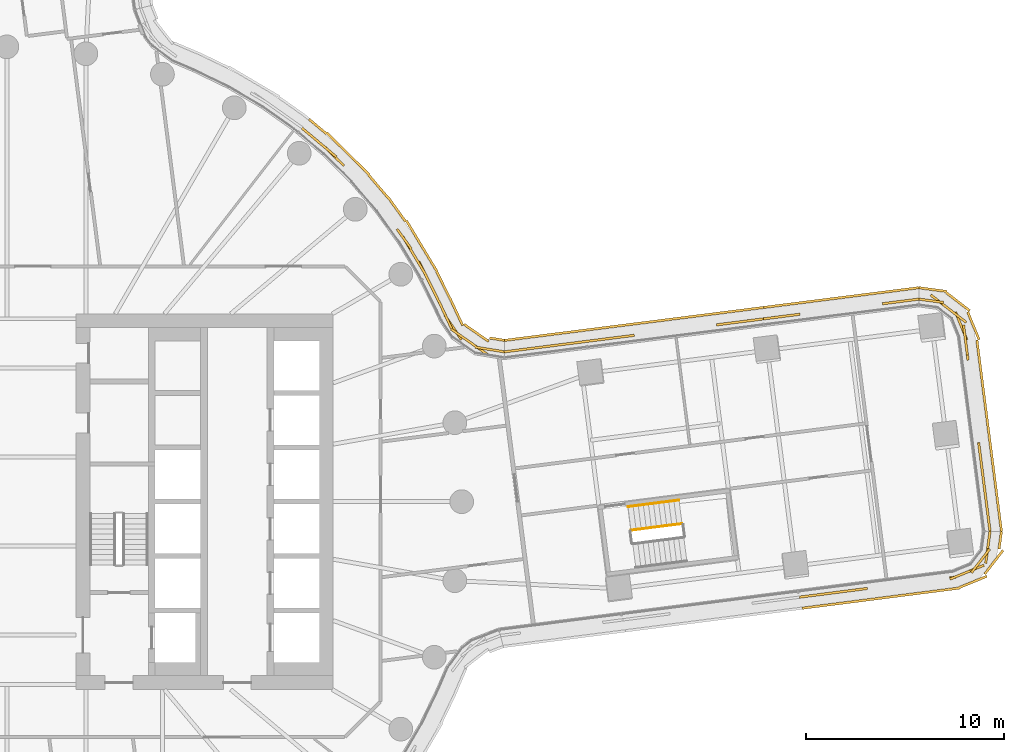
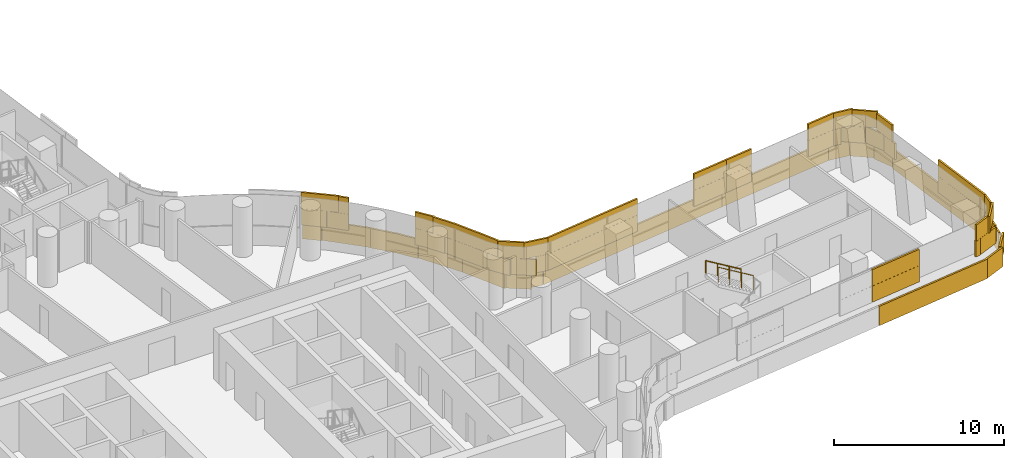
# One storey, part 29 of 31: 5 coverings, 2 railings.
"""IFC4 building model written with IfcOpenShell, lengths in metres."""

import ifcopenshell
import ifcopenshell.guid

model = None  # the IFC model being written
_history = None  # IfcOwnerHistory: only IFC2X3 demands one
_inside = {}  # id of a spatial element -> (the spatial element, [elements in it])
_under = {}  # id of a project, library or spatial element -> (it, [spatial elements below it])
_declared = {}  # id of a project -> (the project, [libraries it declares])
_typed = {}  # id of a type object -> (the type object, [elements of that type])
_made_of = {}  # id of a material, layer set ... -> (it, [elements and type objects made of it])


def new_model(schema):
    """Start an empty IFC model of exactly this schema.

    Asked for "IFC4X3", IfcOpenShell would pick the latest addendum, in which some entities
    have other attributes; the version numbers below select the first issue.
    IFC2X3 requires an IfcOwnerHistory on every rooted entity: one is made here for all.
    """
    global model, _history
    if schema == "IFC4X3":
        model = ifcopenshell.file(schema_version=(4, 3, 0, 0))
    else:
        model = ifcopenshell.file(schema=schema)
    _inside.clear()
    _under.clear()
    _declared.clear()
    _typed.clear()
    _made_of.clear()
    _history = None
    if model.schema == "IFC2X3":
        org = make("IfcOrganization", Name="unknown")
        user = make(
            "IfcPersonAndOrganization",
            ThePerson=make("IfcPerson", FamilyName="unknown"),
            TheOrganization=org,
        )
        app = make(
            "IfcApplication",
            ApplicationDeveloper=org,
            Version="unknown",
            ApplicationFullName="unknown",
            ApplicationIdentifier="unknown",
        )
        _history = make(
            "IfcOwnerHistory",
            OwningUser=user,
            OwningApplication=app,
            ChangeAction="ADDED",
            CreationDate=0,
        )
    return model


def make(cls, **values):
    """One entity of the class cls with the attributes given. An attribute that is None is left unset."""
    return model.create_entity(
        cls, **{name: value for name, value in values.items() if value is not None}
    )


def rooted(cls, **values):
    """An entity with a GlobalId (a new one), such as an element, a storey or a relation."""
    return make(cls, GlobalId=ifcopenshell.guid.new(), OwnerHistory=_history, **values)


def si_unit(unit_type, name, prefix=None):
    """IfcSIUnit, for example si_unit("LENGTHUNIT", "METRE", prefix="MILLI")."""
    return make("IfcSIUnit", UnitType=unit_type, Prefix=prefix, Name=name)


def assignment(units):
    """IfcUnitAssignment: the units of a project."""
    return None if units is None else make("IfcUnitAssignment", Units=units)


def point(xyz):
    """IfcCartesianPoint."""
    return None if xyz is None else make("IfcCartesianPoint", Coordinates=xyz)


def direction(xyz):
    """IfcDirection."""
    return None if xyz is None else make("IfcDirection", DirectionRatios=xyz)


def frame(location, z_axis=None, x_axis=None):
    """IfcAxis2Placement3D, a coordinate frame: its origin and axes. An axis left out is left unset."""
    return make(
        "IfcAxis2Placement3D",
        Location=point(location),
        Axis=direction(z_axis),
        RefDirection=direction(x_axis),
    )


def frame_2d(location, x_axis=None):
    """IfcAxis2Placement2D, a coordinate frame in the plane: its origin and x axis."""
    return make(
        "IfcAxis2Placement2D", Location=point(location), RefDirection=direction(x_axis)
    )


def origin():
    """The frame at (0, 0, 0) with its axes left unset."""
    return frame((0.0, 0.0, 0.0))


def origin_2d():
    """The frame at (0, 0) in the plane with its x axis left unset."""
    return frame_2d((0.0, 0.0))


def place(relative_to, where):
    """IfcLocalPlacement: puts the frame where relative to a parent placement (None: the world)."""
    return make(
        "IfcLocalPlacement", PlacementRelTo=relative_to, RelativePlacement=where
    )


def context(
    kind, dimensions, precision=None, world=None, true_north=None, identifier=None
):
    """IfcGeometricRepresentationContext, for example the 3D "Model" context."""
    return make(
        "IfcGeometricRepresentationContext",
        ContextIdentifier=identifier,
        ContextType=kind,
        CoordinateSpaceDimension=dimensions,
        Precision=precision,
        WorldCoordinateSystem=world,
        TrueNorth=true_north,
    )


def subcontext(parent, identifier, kind, view, scale=None):
    """IfcGeometricRepresentationSubContext, for example "Body" below "Model"."""
    return make(
        "IfcGeometricRepresentationSubContext",
        ContextIdentifier=identifier,
        ContextType=kind,
        ParentContext=parent,
        TargetScale=scale,
        TargetView=view,
    )


def project(units=None, contexts=None):
    """IfcProject with its units and contexts."""
    return rooted(
        "IfcProject",
        Name="project",
        RepresentationContexts=contexts,
        UnitsInContext=assignment(units),
    )


def spatial(cls, under=None, at=None, **own):
    """A site, building, storey or space (cls), placed at a placement, below another one or the project."""
    s = rooted(cls, ObjectPlacement=at, **own)
    if under is not None:
        _under.setdefault(under.id(), (under, []))[1].append(s)
    return s


def profile(cls, at=None, kind="AREA", **sizes):
    """A parametric profile (cls). Its sizes go by their IFC names, for example OverallWidth=200.0."""
    return make(cls, ProfileType=kind, Position=at, **sizes)


def rectangle(**sizes):
    """IfcRectangleProfileDef."""
    return profile("IfcRectangleProfileDef", **sizes)


def circle(**sizes):
    """IfcCircleProfileDef."""
    return profile("IfcCircleProfileDef", **sizes)


def extrude(swept, where, along, depth):
    """IfcExtrudedAreaSolid: the profile swept, set in the frame where, extruded along a direction by depth."""
    return make(
        "IfcExtrudedAreaSolid",
        SweptArea=swept,
        Position=where,
        ExtrudedDirection=direction(along),
        Depth=depth,
    )


def shape(context_of_items, identifier, shape_type, items):
    """IfcShapeRepresentation: the items that make up one representation, for example the "Body"."""
    return make(
        "IfcShapeRepresentation",
        ContextOfItems=context_of_items,
        RepresentationIdentifier=identifier,
        RepresentationType=shape_type,
        Items=items,
    )


def material(Name=None, Category=None):
    """IfcMaterial."""
    return make("IfcMaterial", Name=Name, Category=Category)


def layer(
    of_material, thickness, ventilated=None, Name=None, Category=None, Priority=None
):
    """IfcMaterialLayer: one layer of a wall or slab, of a material (None: an air gap)."""
    return make(
        "IfcMaterialLayer",
        Material=of_material,
        LayerThickness=thickness,
        IsVentilated=ventilated,
        Name=Name,
        Category=Category,
        Priority=Priority,
    )


def layer_set(layers, Name=None):
    """IfcMaterialLayerSet."""
    return make("IfcMaterialLayerSet", MaterialLayers=layers, LayerSetName=Name)


def made_of(thing, what):
    """Note that an element or type object is made of a material, layer set ...; save() writes the relation."""
    if what is not None:
        _made_of.setdefault(what.id(), (what, []))[1].append(thing)
    return thing


def type_object(cls, material=None, **own):
    """A type object (cls), such as IfcWallType, which elements share."""
    return made_of(rooted(cls, **own), material)


def element(
    cls,
    number,
    at=None,
    inside=None,
    cuts=None,
    type_object=None,
    material=None,
    context=None,
    identifier="Body",
    shape_type=None,
    held_by="IfcProductDefinitionShape",
    body=None,
    shapes=None,
    **own,
):
    """One element of the class cls, such as IfcWall. Its Tag is "e" and its number.

    at: its placement. inside: the storey or other place that contains it. cuts: it is an
    opening in that element (IfcRelVoidsElement). A single representation is given by context,
    identifier, shape_type and body (its items); several are given by shapes. held_by: the class
    of the entity that holds the representations. save() writes the other relations.
    """
    e = rooted(cls, Tag="e%d" % number, ObjectPlacement=at, **own)
    if body is not None:
        shapes = [shape(context, identifier, shape_type, body)]
    if shapes is not None:
        e.Representation = make(held_by, Representations=shapes)
    if inside is not None:
        _inside.setdefault(inside.id(), (inside, []))[1].append(e)
    if cuts is not None:
        rooted(
            "IfcRelVoidsElement", RelatingBuildingElement=cuts, RelatedOpeningElement=e
        )
    if type_object is not None:
        _typed.setdefault(type_object.id(), (type_object, []))[1].append(e)
    return made_of(e, material)


def aggregate(whole, parts):
    """IfcRelAggregates: a whole, such as a stair, and the parts it consists of."""
    return rooted("IfcRelAggregates", RelatingObject=whole, RelatedObjects=parts)


def save(model, path):
    """Write the relations noted so far, then the file.

    IfcRelAggregates (storeys below a building ...), IfcRelContainedInSpatialStructure (elements
    in a storey), IfcRelDefinesByType, IfcRelAssociatesMaterial and IfcRelDeclares: one each for
    every whole, place, type object, material and project.
    """
    for whole, parts in _under.values():
        aggregate(whole, parts)
    for where, things in _inside.values():
        rooted(
            "IfcRelContainedInSpatialStructure",
            RelatedElements=things,
            RelatingStructure=where,
        )
    for kind, things in _typed.values():
        rooted("IfcRelDefinesByType", RelatedObjects=things, RelatingType=kind)
    for what, things in _made_of.values():
        rooted("IfcRelAssociatesMaterial", RelatedObjects=things, RelatingMaterial=what)
    for by, libraries in _declared.values():
        rooted("IfcRelDeclares", RelatingContext=by, RelatedDefinitions=libraries)
    model.write(path)


model = new_model("IFC4")

# Units and contexts
model_context = context("Model", 3, precision=1e-05, world=origin(), true_north=direction((0.0, 1.0)))
body_context = subcontext(model_context, "Body", "Model", "MODEL_VIEW")
ifc_project = project(units=[si_unit("LENGTHUNIT", "METRE"), si_unit("AREAUNIT", "SQUARE_METRE"), si_unit("VOLUMEUNIT", "CUBIC_METRE"), si_unit("PLANEANGLEUNIT", "RADIAN"), si_unit("MASSUNIT", "GRAM", prefix="KILO")], contexts=[model_context])

# Site, building, storey
site_placement = place(None, origin())
site = spatial("IfcSite", under=ifc_project, at=site_placement, CompositionType="ELEMENT")
building_placement = place(site_placement, origin())
building = spatial("IfcBuilding", under=site, at=building_placement, Name="Tamarind Cross Interchange Tower", CompositionType="ELEMENT")
storey_placement = place(building_placement, frame((0.0, 0.0, 60.25)))
storey = spatial("IfcBuildingStorey", under=building, at=storey_placement, Name="L13", CompositionType="ELEMENT", Elevation=60.25)

# Railings
ifc_material_1 = material(Name="Stair guard")
railing_type_1 = type_object("IfcRailingType", Name="Stair guard", PredefinedType="GUARDRAIL", material=ifc_material_1)
railing_1_placement = place(storey_placement, frame((34.140625, -1.113525390625, 2.04541015625)))
element("IfcRailing", 1, at=railing_1_placement, inside=storey, type_object=railing_type_1, Name="L13 ST3 stair guard 3", PredefinedType="GUARDRAIL", context=body_context, shape_type="SweptSolid", body=[
    extrude(circle(Radius=0.02392578125, at=origin_2d()), frame((0.0, 0.0, 1.076171875), z_axis=(-0.829487826646, -0.106483526738, 0.548280223955), x_axis=(0.127327757742, -0.991860696927, 0.0)), (0.0, 0.0, 1.0), 3.10888671875),
    extrude(circle(Radius=0.02099609375, at=origin_2d()), origin(), (0.0, 0.0, 1.0), 1.052001953125),
    extrude(circle(Radius=0.02099609375, at=origin_2d()), frame((-0.859619140625, -0.1103515625, 0.568115234375)), (0.0, 0.0, 1.0), 1.052001953125),
    extrude(circle(Radius=0.02099609375, at=origin_2d()), frame((-1.71923828125, -0.220703125, 1.136474609375)), (0.0, 0.0, 1.0), 1.052001953125),
    extrude(circle(Radius=0.02099609375, at=origin_2d()), frame((-2.578857421875, -0.3310546875, 1.70458984375)), (0.0, 0.0, 1.0), 1.052001953125),
])
ifc_material_2 = material(Name="Stair handrail")
railing_type_2 = type_object("IfcRailingType", Name="Stair handrail", PredefinedType="HANDRAIL", material=ifc_material_2)
railing_2_placement = place(storey_placement, frame((33.98779296875, 0.07666015625, 2.04541015625)))
element("IfcRailing", 2, at=railing_2_placement, inside=storey, type_object=railing_type_2, Name="L13 ST3 stair handrail 2", PredefinedType="HANDRAIL", context=body_context, shape_type="SweptSolid", body=[
    extrude(circle(Radius=0.02392578125, at=origin_2d()), frame((0.0, 0.0, 0.8759765625), z_axis=(-0.829487826646, -0.106483526738, 0.548280223955), x_axis=(0.127327757742, -0.991860696927, 0.0)), (0.0, 0.0, 1.0), 3.10888671875),
    extrude(circle(Radius=0.02099609375, at=origin_2d()), origin(), (0.0, 0.0, 1.0), 0.851806640625),
    extrude(circle(Radius=0.02099609375, at=origin_2d()), frame((-0.859619140625, -0.1103515625, 0.568115234375)), (0.0, 0.0, 1.0), 0.851806640625),
    extrude(circle(Radius=0.02099609375, at=origin_2d()), frame((-1.71923828125, -0.220703125, 1.136474609375)), (0.0, 0.0, 1.0), 0.851806640625),
    extrude(circle(Radius=0.02099609375, at=origin_2d()), frame((-2.578857421875, -0.3310546875, 1.70458984375)), (0.0, 0.0, 1.0), 0.851806640625),
])

# Coverings
ifc_material_3 = material(Name="Terracotta", Category="masonry")
ifc_layer = layer(ifc_material_3, 0.1201171875)
ifc_layer_set = layer_set([ifc_layer], Name="Terracotta")
covering_type = type_object("IfcCoveringType", Name="Terracotta baguette screen unit", PredefinedType="MOLDING", material=ifc_layer_set)
covering_1_placement = place(storey_placement, origin())
element("IfcCovering", 3, at=covering_1_placement, inside=storey, type_object=covering_type, Name="SCR-L13-07-02", PredefinedType="MOLDING", context=body_context, shape_type="SweptSolid", body=[
    extrude(rectangle(XDim=0.5224609375, YDim=0.1201171875, at=origin_2d()), frame((40.327392578125, -4.7958984375, 1.404052734375), z_axis=(0.0, 0.0, 1.0), x_axis=(0.991864253985, 0.127300045824, 0.0)), (0.0, 0.0, 1.0), 1.1669921875),
    extrude(rectangle(XDim=1.52001953125, YDim=0.1201171875, at=origin_2d()), frame((41.325439453125, -4.66796875, 1.404052734375), z_axis=(0.0, 0.0, 1.0), x_axis=(0.991864253985, 0.127300045824, 0.0)), (0.0, 0.0, 1.0), 1.1669921875),
    extrude(rectangle(XDim=1.46533203125, YDim=0.1201171875, at=origin_2d()), frame((42.791015625, -4.479736328125, 1.404052734375), z_axis=(0.0, 0.0, 1.0), x_axis=(0.991864253985, 0.127300045824, 0.0)), (0.0, 0.0, 1.0), 1.1669921875),
    extrude(rectangle(XDim=0.354736328125, YDim=0.1201171875, at=origin_2d()), frame((47.849609375, -3.83056640625, 1.404052734375), z_axis=(0.0, 0.0, 1.0), x_axis=(0.991864253985, 0.127300045824, 0.0)), (0.0, 0.0, 1.0), 1.1669921875),
    extrude(rectangle(XDim=1.52001953125, YDim=0.1201171875, at=origin_2d()), frame((48.70751953125, -3.497802734375, 1.404052734375), z_axis=(0.0, 0.0, 1.0), x_axis=(0.925119622795, 0.379675761037, 0.0)), (0.0, 0.0, 1.0), 1.1669921875),
    extrude(rectangle(XDim=1.52001953125, YDim=0.1201171875, at=origin_2d()), frame((49.59814453125, -2.36083984375, 1.404052734375), z_axis=(0.0, 0.0, 1.0), x_axis=(0.133750957139, 0.991014975399, 0.0)), (0.0, 0.0, 1.0), 1.1669921875),
    extrude(rectangle(XDim=0.1328125, YDim=0.1201171875, at=origin_2d()), frame((49.706787109375, -1.556884765625, 1.404052734375), z_axis=(0.0, 0.0, 1.0), x_axis=(0.133750957139, 0.991014975399, 0.0)), (0.0, 0.0, 1.0), 1.1669921875),
    extrude(rectangle(XDim=1.2724609375, YDim=0.1201171875, at=origin_2d()), frame((40.699462890625, -4.748291015625, 2.5791015625), z_axis=(0.0, 0.0, 1.0), x_axis=(0.991864253985, 0.127300045824, 0.0)), (0.0, 0.0, 1.0), 1.1669921875),
    extrude(rectangle(XDim=1.52001953125, YDim=0.1201171875, at=origin_2d()), frame((42.0693359375, -4.572265625, 2.5791015625), z_axis=(0.0, 0.0, 1.0), x_axis=(0.991864253985, 0.127300045824, 0.0)), (0.0, 0.0, 1.0), 1.1669921875),
    extrude(rectangle(XDim=0.71533203125, YDim=0.1201171875, at=origin_2d()), frame((43.1630859375, -4.43212890625, 2.5791015625), z_axis=(0.0, 0.0, 1.0), x_axis=(0.991864253985, 0.127300045824, 0.0)), (0.0, 0.0, 1.0), 1.1669921875),
    extrude(rectangle(XDim=1.104736328125, YDim=0.1201171875, at=origin_2d()), frame((48.201171875, -3.70556640625, 2.5791015625), z_axis=(0.0, 0.0, 1.0), x_axis=(0.925119622795, 0.379675761037, 0.0)), (0.0, 0.0, 1.0), 1.1669921875),
    extrude(rectangle(XDim=1.52001953125, YDim=0.1201171875, at=origin_2d()), frame((49.234375, -2.994140625, 2.5791015625), z_axis=(0.0, 0.0, 1.0), x_axis=(0.611339214362, 0.791368665657, 0.0)), (0.0, 0.0, 1.0), 1.1669921875),
    extrude(rectangle(XDim=0.8828125, YDim=0.1201171875, at=origin_2d()), frame((49.656494140625, -1.928466796875, 2.5791015625), z_axis=(0.0, 0.0, 1.0), x_axis=(0.133750957139, 0.991014975399, 0.0)), (0.0, 0.0, 1.0), 1.1669921875),
    extrude(rectangle(XDim=0.518798828125, YDim=0.1201171875, at=origin_2d()), frame((40.476806640625, -5.35546875, 0.00390625), z_axis=(0.0, 0.0, 1.0), x_axis=(0.991864253985, 0.127300045824, 0.0)), (0.0, 0.0, 1.0), 1.39208984375),
    extrude(rectangle(XDim=1.52001953125, YDim=0.1201171875, at=origin_2d()), frame((41.468017578125, -5.228271484375, 0.00390625), z_axis=(0.0, 0.0, 1.0), x_axis=(0.991864253985, 0.127300045824, 0.0)), (0.0, 0.0, 1.0), 1.39208984375),
    extrude(rectangle(XDim=1.52001953125, YDim=0.1201171875, at=origin_2d()), frame((42.955810546875, -5.037353515625, 0.00390625), z_axis=(0.0, 0.0, 1.0), x_axis=(0.991864253985, 0.127300045824, 0.0)), (0.0, 0.0, 1.0), 1.39208984375),
    extrude(rectangle(XDim=1.52001953125, YDim=0.1201171875, at=origin_2d()), frame((44.443603515625, -4.846435546875, 0.00390625), z_axis=(0.0, 0.0, 1.0), x_axis=(0.991864253985, 0.127300045824, 0.0)), (0.0, 0.0, 1.0), 1.39208984375),
    extrude(rectangle(XDim=1.52001953125, YDim=0.1201171875, at=origin_2d()), frame((45.931396484375, -4.6552734375, 0.00390625), z_axis=(0.0, 0.0, 1.0), x_axis=(0.991864253985, 0.127300045824, 0.0)), (0.0, 0.0, 1.0), 1.39208984375),
    extrude(rectangle(XDim=1.52001953125, YDim=0.1201171875, at=origin_2d()), frame((47.419189453125, -4.46435546875, 0.00390625), z_axis=(0.0, 0.0, 1.0), x_axis=(0.991864253985, 0.127300045824, 0.0)), (0.0, 0.0, 1.0), 1.39208984375),
    extrude(rectangle(XDim=1.52001953125, YDim=0.1201171875, at=origin_2d()), frame((48.8505859375, -4.0595703125, 0.00390625), z_axis=(0.0, 0.0, 1.0), x_axis=(0.925119622795, 0.379675761037, 0.0)), (0.0, 0.0, 1.0), 1.39208984375),
    extrude(rectangle(XDim=1.52001953125, YDim=0.1201171875, at=origin_2d()), frame((49.90966796875, -3.05908203125, 0.00390625), z_axis=(0.0, 0.0, 1.0), x_axis=(0.611339214362, 0.791368665657, 0.0)), (0.0, 0.0, 1.0), 1.39208984375),
    extrude(rectangle(XDim=0.904541015625, YDim=0.1201171875, at=origin_2d()), frame((50.2333984375, -1.946044921875, 0.00390625), z_axis=(0.0, 0.0, 1.0), x_axis=(0.133750957139, 0.991014975399, 0.0)), (0.0, 0.0, 1.0), 1.39208984375),
])
covering_2_placement = place(storey_placement, origin())
element("IfcCovering", 4, at=covering_2_placement, inside=storey, type_object=covering_type, Name="SCR-L13-08-00", PredefinedType="MOLDING", context=body_context, shape_type="SweptSolid", body=[
    extrude(rectangle(XDim=0.760009765625, YDim=0.1201171875, at=origin_2d()), frame((49.667236328125, -1.1240234375, 1.404052734375), z_axis=(0.0, 0.0, 1.0), x_axis=(-0.127300045824, 0.991864253985, 0.0)), (0.0, 0.0, 1.0), 1.1669921875),
    extrude(rectangle(XDim=1.52001953125, YDim=0.1201171875, at=origin_2d()), frame((49.52392578125, -0.008056640625, 1.404052734375), z_axis=(0.0, 0.0, 1.0), x_axis=(-0.127300045824, 0.991864253985, 0.0)), (0.0, 0.0, 1.0), 1.1669921875),
    extrude(rectangle(XDim=1.52001953125, YDim=0.1201171875, at=origin_2d()), frame((49.3330078125, 1.479736328125, 1.404052734375), z_axis=(0.0, 0.0, 1.0), x_axis=(-0.127300045824, 0.991864253985, 0.0)), (0.0, 0.0, 1.0), 1.1669921875),
    extrude(rectangle(XDim=0.784912109375, YDim=0.1201171875, at=origin_2d()), frame((49.188232421875, 2.60791015625, 1.404052734375), z_axis=(0.0, 0.0, 1.0), x_axis=(-0.127300045824, 0.991864253985, 0.0)), (0.0, 0.0, 1.0), 1.1669921875),
    extrude(rectangle(XDim=1.03515625, YDim=0.1201171875, at=origin_2d()), frame((48.5390625, 7.666259765625, 1.404052734375), z_axis=(0.0, 0.0, 1.0), x_axis=(-0.127300045824, 0.991864253985, 0.0)), (0.0, 0.0, 1.0), 1.1669921875),
    extrude(rectangle(XDim=1.52001953125, YDim=0.1201171875, at=origin_2d()), frame((48.258056640625, 8.886962890625, 1.404052734375), z_axis=(0.0, 0.0, 1.0), x_axis=(-0.379675761037, 0.925119622795, 0.0)), (0.0, 0.0, 1.0), 1.1669921875),
    extrude(rectangle(XDim=1.52001953125, YDim=0.1201171875, at=origin_2d()), frame((47.31591796875, 9.990478515625, 1.404052734375), z_axis=(0.0, 0.0, 1.0), x_axis=(-0.791368665657, 0.611339214362, 0.0)), (0.0, 0.0, 1.0), 1.1669921875),
    extrude(rectangle(XDim=0.509521484375, YDim=0.1201171875, at=origin_2d()), frame((46.36083984375, 10.20947265625, 1.404052734375), z_axis=(0.0, 0.0, 1.0), x_axis=(-0.991014975399, 0.133750957139, 0.0)), (0.0, 0.0, 1.0), 1.1669921875),
    extrude(rectangle(XDim=1.510009765625, YDim=0.1201171875, at=origin_2d()), frame((49.619384765625, -0.751953125, 2.5791015625), z_axis=(0.0, 0.0, 1.0), x_axis=(-0.127300045824, 0.991864253985, 0.0)), (0.0, 0.0, 1.0), 1.1669921875),
    extrude(rectangle(XDim=1.52001953125, YDim=0.1201171875, at=origin_2d()), frame((49.428466796875, 0.73583984375, 2.5791015625), z_axis=(0.0, 0.0, 1.0), x_axis=(-0.127300045824, 0.991864253985, 0.0)), (0.0, 0.0, 1.0), 1.1669921875),
    extrude(rectangle(XDim=1.52001953125, YDim=0.1201171875, at=origin_2d()), frame((49.237548828125, 2.2236328125, 2.5791015625), z_axis=(0.0, 0.0, 1.0), x_axis=(-0.127300045824, 0.991864253985, 0.0)), (0.0, 0.0, 1.0), 1.1669921875),
    extrude(rectangle(XDim=1.52001953125, YDim=0.1201171875, at=origin_2d()), frame((48.473876953125, 8.1748046875, 2.5791015625), z_axis=(0.0, 0.0, 1.0), x_axis=(-0.127300045824, 0.991864253985, 0.0)), (0.0, 0.0, 1.0), 1.1669921875),
    extrude(rectangle(XDim=1.52001953125, YDim=0.1201171875, at=origin_2d()), frame((47.909423828125, 9.531982421875, 2.5791015625), z_axis=(0.0, 0.0, 1.0), x_axis=(-0.791368665657, 0.611339214362, 0.0)), (0.0, 0.0, 1.0), 1.1669921875),
    extrude(rectangle(XDim=1.259521484375, YDim=0.1201171875, at=origin_2d()), frame((46.732421875, 10.159423828125, 2.5791015625), z_axis=(0.0, 0.0, 1.0), x_axis=(-0.991014975399, 0.133750957139, 0.0)), (0.0, 0.0, 1.0), 1.1669921875),
    extrude(rectangle(XDim=0.760009765625, YDim=0.1201171875, at=origin_2d()), frame((50.24560546875, -1.120849609375, 0.00390625), z_axis=(0.0, 0.0, 1.0), x_axis=(-0.127300045824, 0.991864253985, 0.0)), (0.0, 0.0, 1.0), 1.39208984375),
    extrude(rectangle(XDim=1.52001953125, YDim=0.1201171875, at=origin_2d()), frame((50.10302734375, -0.010009765625, 0.00390625), z_axis=(0.0, 0.0, 1.0), x_axis=(-0.127300045824, 0.991864253985, 0.0)), (0.0, 0.0, 1.0), 1.39208984375),
    extrude(rectangle(XDim=1.52001953125, YDim=0.1201171875, at=origin_2d()), frame((49.912109375, 1.477783203125, 0.00390625), z_axis=(0.0, 0.0, 1.0), x_axis=(-0.127300045824, 0.991864253985, 0.0)), (0.0, 0.0, 1.0), 1.39208984375),
    extrude(rectangle(XDim=1.52001953125, YDim=0.1201171875, at=origin_2d()), frame((49.72119140625, 2.965576171875, 0.00390625), z_axis=(0.0, 0.0, 1.0), x_axis=(-0.127300045824, 0.991864253985, 0.0)), (0.0, 0.0, 1.0), 1.39208984375),
    extrude(rectangle(XDim=1.52001953125, YDim=0.1201171875, at=origin_2d()), frame((49.530029296875, 4.453369140625, 0.00390625), z_axis=(0.0, 0.0, 1.0), x_axis=(-0.127300045824, 0.991864253985, 0.0)), (0.0, 0.0, 1.0), 1.39208984375),
    extrude(rectangle(XDim=1.52001953125, YDim=0.1201171875, at=origin_2d()), frame((49.339111328125, 5.941162109375, 0.00390625), z_axis=(0.0, 0.0, 1.0), x_axis=(-0.127300045824, 0.991864253985, 0.0)), (0.0, 0.0, 1.0), 1.39208984375),
    extrude(rectangle(XDim=1.52001953125, YDim=0.1201171875, at=origin_2d()), frame((49.148193359375, 7.428955078125, 0.00390625), z_axis=(0.0, 0.0, 1.0), x_axis=(-0.127300045824, 0.991864253985, 0.0)), (0.0, 0.0, 1.0), 1.39208984375),
    extrude(rectangle(XDim=1.52001953125, YDim=0.1201171875, at=origin_2d()), frame((48.875244140625, 8.89501953125, 0.00390625), z_axis=(0.0, 0.0, 1.0), x_axis=(-0.379675761037, 0.925119622795, 0.0)), (0.0, 0.0, 1.0), 1.39208984375),
    extrude(rectangle(XDim=1.52001953125, YDim=0.1201171875, at=origin_2d()), frame((48.08984375, 10.1181640625, 0.00390625), z_axis=(0.0, 0.0, 1.0), x_axis=(-0.791368665657, 0.611339214362, 0.0)), (0.0, 0.0, 1.0), 1.39208984375),
    extrude(rectangle(XDim=1.4267578125, YDim=0.1201171875, at=origin_2d()), frame((46.822509765625, 10.726318359375, 0.00390625), z_axis=(0.0, 0.0, 1.0), x_axis=(-0.991014975399, 0.133750957139, 0.0)), (0.0, 0.0, 1.0), 1.39208984375),
])
covering_3_placement = place(storey_placement, origin())
element("IfcCovering", 5, at=covering_3_placement, inside=storey, type_object=covering_type, Name="SCR-L13-09-00", PredefinedType="MOLDING", context=body_context, shape_type="SweptSolid", body=[
    extrude(rectangle(XDim=0.760009765625, YDim=0.1201171875, at=origin_2d()), frame((45.7412109375, 10.195556640625, 1.404052734375), z_axis=(0.0, 0.0, 1.0), x_axis=(-0.992009784455, -0.126160958881, 0.0)), (0.0, 0.0, 1.0), 1.1669921875),
    extrude(rectangle(XDim=1.1142578125, YDim=0.1201171875, at=origin_2d()), frame((44.821533203125, 10.07861328125, 1.404052734375), z_axis=(0.0, 0.0, 1.0), x_axis=(-0.992009784455, -0.126160958881, 0.0)), (0.0, 0.0, 1.0), 1.1669921875),
    extrude(rectangle(XDim=0.705810546875, YDim=0.1201171875, at=origin_2d()), frame((39.76220703125, 9.435302734375, 1.404052734375), z_axis=(0.0, 0.0, 1.0), x_axis=(-0.992009784455, -0.126160958881, 0.0)), (0.0, 0.0, 1.0), 1.1669921875),
    extrude(rectangle(XDim=1.16845703125, YDim=0.1201171875, at=origin_2d()), frame((38.842529296875, 9.318359375, 1.404052734375), z_axis=(0.0, 0.0, 1.0), x_axis=(-0.992009784455, -0.126160958881, 0.0)), (0.0, 0.0, 1.0), 1.1669921875),
    extrude(rectangle(XDim=1.510009765625, YDim=0.1201171875, at=origin_2d()), frame((45.369140625, 10.148193359375, 2.5791015625), z_axis=(0.0, 0.0, 1.0), x_axis=(-0.992009784455, -0.126160958881, 0.0)), (0.0, 0.0, 1.0), 1.1669921875),
    extrude(rectangle(XDim=0.3642578125, YDim=0.1201171875, at=origin_2d()), frame((44.449462890625, 10.03125, 2.5791015625), z_axis=(0.0, 0.0, 1.0), x_axis=(-0.992009784455, -0.126160958881, 0.0)), (0.0, 0.0, 1.0), 1.1669921875),
    extrude(rectangle(XDim=1.455810546875, YDim=0.1201171875, at=origin_2d()), frame((39.39013671875, 9.387939453125, 2.5791015625), z_axis=(0.0, 0.0, 1.0), x_axis=(-0.992009784455, -0.126160958881, 0.0)), (0.0, 0.0, 1.0), 1.1669921875),
    extrude(rectangle(XDim=0.41845703125, YDim=0.1201171875, at=origin_2d()), frame((38.470458984375, 9.27099609375, 2.5791015625), z_axis=(0.0, 0.0, 1.0), x_axis=(-0.992009784455, -0.126160958881, 0.0)), (0.0, 0.0, 1.0), 1.1669921875),
    extrude(rectangle(XDim=0.760009765625, YDim=0.1201171875, at=origin_2d()), frame((45.738525390625, 10.77392578125, 0.00390625), z_axis=(0.0, 0.0, 1.0), x_axis=(-0.992009784455, -0.126160958881, 0.0)), (0.0, 0.0, 1.0), 1.39208984375),
    extrude(rectangle(XDim=1.52001953125, YDim=0.1201171875, at=origin_2d()), frame((44.62744140625, 10.632568359375, 0.00390625), z_axis=(0.0, 0.0, 1.0), x_axis=(-0.992009784455, -0.126160958881, 0.0)), (0.0, 0.0, 1.0), 1.39208984375),
    extrude(rectangle(XDim=1.52001953125, YDim=0.1201171875, at=origin_2d()), frame((43.139404296875, 10.443359375, 0.00390625), z_axis=(0.0, 0.0, 1.0), x_axis=(-0.992009784455, -0.126160958881, 0.0)), (0.0, 0.0, 1.0), 1.39208984375),
    extrude(rectangle(XDim=1.52001953125, YDim=0.1201171875, at=origin_2d()), frame((41.6513671875, 10.254150390625, 0.00390625), z_axis=(0.0, 0.0, 1.0), x_axis=(-0.992009784455, -0.126160958881, 0.0)), (0.0, 0.0, 1.0), 1.39208984375),
    extrude(rectangle(XDim=1.52001953125, YDim=0.1201171875, at=origin_2d()), frame((40.163330078125, 10.06494140625, 0.00390625), z_axis=(0.0, 0.0, 1.0), x_axis=(-0.992009784455, -0.126160958881, 0.0)), (0.0, 0.0, 1.0), 1.39208984375),
    extrude(rectangle(XDim=1.16552734375, YDim=0.1201171875, at=origin_2d()), frame((38.85107421875, 9.89794921875, 0.00390625), z_axis=(0.0, 0.0, 1.0), x_axis=(-0.992009784455, -0.126160958881, 0.0)), (0.0, 0.0, 1.0), 1.39208984375),
])
covering_4_placement = place(storey_placement, origin())
element("IfcCovering", 6, at=covering_4_placement, inside=storey, type_object=covering_type, Name="SCR-L13-09-01", PredefinedType="MOLDING", context=body_context, shape_type="SweptSolid", body=[
    extrude(rectangle(XDim=0.3515625, YDim=0.1201171875, at=origin_2d()), frame((38.098388671875, 9.2236328125, 1.404052734375), z_axis=(0.0, 0.0, 1.0), x_axis=(-0.992009784455, -0.126160958881, 0.0)), (0.0, 0.0, 1.0), 1.1669921875),
    extrude(rectangle(XDim=1.52001953125, YDim=0.1201171875, at=origin_2d()), frame((37.18505859375, 9.107421875, 1.404052734375), z_axis=(0.0, 0.0, 1.0), x_axis=(-0.992009784455, -0.126160958881, 0.0)), (0.0, 0.0, 1.0), 1.1669921875),
    extrude(rectangle(XDim=0.568359375, YDim=0.1201171875, at=origin_2d()), frame((36.164306640625, 8.9775390625, 1.404052734375), z_axis=(0.0, 0.0, 1.0), x_axis=(-0.992009784455, -0.126160958881, 0.0)), (0.0, 0.0, 1.0), 1.1669921875),
    extrude(rectangle(XDim=1.251708984375, YDim=0.1201171875, at=origin_2d()), frame((31.10498046875, 8.334228515625, 1.404052734375), z_axis=(0.0, 0.0, 1.0), x_axis=(-0.992009784455, -0.126160958881, 0.0)), (0.0, 0.0, 1.0), 1.1669921875),
    extrude(rectangle(XDim=1.52001953125, YDim=0.1201171875, at=origin_2d()), frame((29.7451171875, 8.161376953125, 1.404052734375), z_axis=(0.0, 0.0, 1.0), x_axis=(-0.992009784455, -0.126160958881, 0.0)), (0.0, 0.0, 1.0), 1.1669921875),
    extrude(rectangle(XDim=1.52001953125, YDim=0.1201171875, at=origin_2d()), frame((28.257080078125, 7.971923828125, 1.404052734375), z_axis=(0.0, 0.0, 1.0), x_axis=(-0.992009784455, -0.126160958881, 0.0)), (0.0, 0.0, 1.0), 1.1669921875),
    extrude(rectangle(XDim=1.52001953125, YDim=0.1201171875, at=origin_2d()), frame((26.76904296875, 7.78271484375, 1.404052734375), z_axis=(0.0, 0.0, 1.0), x_axis=(-0.992009784455, -0.126160958881, 0.0)), (0.0, 0.0, 1.0), 1.1669921875),
    extrude(rectangle(XDim=0.886474609375, YDim=0.1201171875, at=origin_2d()), frame((25.59033203125, 7.6328125, 1.404052734375), z_axis=(0.0, 0.0, 1.0), x_axis=(-0.992009784455, -0.126160958881, 0.0)), (0.0, 0.0, 1.0), 1.1669921875),
    extrude(rectangle(XDim=1.1015625, YDim=0.1201171875, at=origin_2d()), frame((37.7265625, 9.17626953125, 2.5791015625), z_axis=(0.0, 0.0, 1.0), x_axis=(-0.992009784455, -0.126160958881, 0.0)), (0.0, 0.0, 1.0), 1.1669921875),
    extrude(rectangle(XDim=1.318359375, YDim=0.1201171875, at=origin_2d()), frame((36.5361328125, 9.02490234375, 2.5791015625), z_axis=(0.0, 0.0, 1.0), x_axis=(-0.992009784455, -0.126160958881, 0.0)), (0.0, 0.0, 1.0), 1.1669921875),
    extrude(rectangle(XDim=0.501708984375, YDim=0.1201171875, at=origin_2d()), frame((31.47705078125, 8.381591796875, 2.5791015625), z_axis=(0.0, 0.0, 1.0), x_axis=(-0.992009784455, -0.126160958881, 0.0)), (0.0, 0.0, 1.0), 1.1669921875),
    extrude(rectangle(XDim=1.52001953125, YDim=0.1201171875, at=origin_2d()), frame((30.489013671875, 8.255859375, 2.5791015625), z_axis=(0.0, 0.0, 1.0), x_axis=(-0.992009784455, -0.126160958881, 0.0)), (0.0, 0.0, 1.0), 1.1669921875),
    extrude(rectangle(XDim=1.52001953125, YDim=0.1201171875, at=origin_2d()), frame((29.0009765625, 8.066650390625, 2.5791015625), z_axis=(0.0, 0.0, 1.0), x_axis=(-0.992009784455, -0.126160958881, 0.0)), (0.0, 0.0, 1.0), 1.1669921875),
    extrude(rectangle(XDim=1.52001953125, YDim=0.1201171875, at=origin_2d()), frame((27.512939453125, 7.87744140625, 2.5791015625), z_axis=(0.0, 0.0, 1.0), x_axis=(-0.992009784455, -0.126160958881, 0.0)), (0.0, 0.0, 1.0), 1.1669921875),
    extrude(rectangle(XDim=1.52001953125, YDim=0.1201171875, at=origin_2d()), frame((26.02490234375, 7.688232421875, 2.5791015625), z_axis=(0.0, 0.0, 1.0), x_axis=(-0.992009784455, -0.126160958881, 0.0)), (0.0, 0.0, 1.0), 1.1669921875),
    extrude(rectangle(XDim=0.136474609375, YDim=0.1201171875, at=origin_2d()), frame((25.21826171875, 7.585693359375, 2.5791015625), z_axis=(0.0, 0.0, 1.0), x_axis=(-0.992009784455, -0.126160958881, 0.0)), (0.0, 0.0, 1.0), 1.1669921875),
    extrude(rectangle(XDim=0.3544921875, YDim=0.1201171875, at=origin_2d()), frame((38.09716796875, 9.802001953125, 0.00390625), z_axis=(0.0, 0.0, 1.0), x_axis=(-0.992009784455, -0.126160958881, 0.0)), (0.0, 0.0, 1.0), 1.39208984375),
    extrude(rectangle(XDim=1.52001953125, YDim=0.1201171875, at=origin_2d()), frame((37.187255859375, 9.686279296875, 0.00390625), z_axis=(0.0, 0.0, 1.0), x_axis=(-0.992009784455, -0.126160958881, 0.0)), (0.0, 0.0, 1.0), 1.39208984375),
    extrude(rectangle(XDim=1.52001953125, YDim=0.1201171875, at=origin_2d()), frame((35.69921875, 9.4970703125, 0.00390625), z_axis=(0.0, 0.0, 1.0), x_axis=(-0.992009784455, -0.126160958881, 0.0)), (0.0, 0.0, 1.0), 1.39208984375),
    extrude(rectangle(XDim=1.52001953125, YDim=0.1201171875, at=origin_2d()), frame((34.21142578125, 9.307861328125, 0.00390625), z_axis=(0.0, 0.0, 1.0), x_axis=(-0.992009784455, -0.126160958881, 0.0)), (0.0, 0.0, 1.0), 1.39208984375),
    extrude(rectangle(XDim=1.52001953125, YDim=0.1201171875, at=origin_2d()), frame((32.723388671875, 9.11865234375, 0.00390625), z_axis=(0.0, 0.0, 1.0), x_axis=(-0.992009784455, -0.126160958881, 0.0)), (0.0, 0.0, 1.0), 1.39208984375),
    extrude(rectangle(XDim=1.52001953125, YDim=0.1201171875, at=origin_2d()), frame((31.2353515625, 8.929443359375, 0.00390625), z_axis=(0.0, 0.0, 1.0), x_axis=(-0.992009784455, -0.126160958881, 0.0)), (0.0, 0.0, 1.0), 1.39208984375),
    extrude(rectangle(XDim=1.52001953125, YDim=0.1201171875, at=origin_2d()), frame((29.747314453125, 8.740234375, 0.00390625), z_axis=(0.0, 0.0, 1.0), x_axis=(-0.992009784455, -0.126160958881, 0.0)), (0.0, 0.0, 1.0), 1.39208984375),
    extrude(rectangle(XDim=1.52001953125, YDim=0.1201171875, at=origin_2d()), frame((28.25927734375, 8.551025390625, 0.00390625), z_axis=(0.0, 0.0, 1.0), x_axis=(-0.992009784455, -0.126160958881, 0.0)), (0.0, 0.0, 1.0), 1.39208984375),
    extrude(rectangle(XDim=1.52001953125, YDim=0.1201171875, at=origin_2d()), frame((26.771240234375, 8.36181640625, 0.00390625), z_axis=(0.0, 0.0, 1.0), x_axis=(-0.992009784455, -0.126160958881, 0.0)), (0.0, 0.0, 1.0), 1.39208984375),
    extrude(rectangle(XDim=0.878662109375, YDim=0.1201171875, at=origin_2d()), frame((25.601318359375, 8.212890625, 0.00390625), z_axis=(0.0, 0.0, 1.0), x_axis=(-0.992009784455, -0.126160958881, 0.0)), (0.0, 0.0, 1.0), 1.39208984375),
])
covering_5_placement = place(storey_placement, origin())
element("IfcCovering", 7, at=covering_5_placement, inside=storey, type_object=covering_type, Name="SCR-L13-10-00", PredefinedType="MOLDING", context=body_context, shape_type="SweptSolid", body=[
    extrude(rectangle(XDim=0.760009765625, YDim=0.1201171875, at=origin_2d()), frame((24.785400390625, 7.6376953125, 1.404052734375), z_axis=(0.0, 0.0, 1.0), x_axis=(-0.987085279607, 0.160195664056, 0.0)), (0.0, 0.0, 1.0), 1.1669921875),
    extrude(rectangle(XDim=1.52001953125, YDim=0.1201171875, at=origin_2d()), frame((23.69580078125, 7.869140625, 1.404052734375), z_axis=(0.0, 0.0, 1.0), x_axis=(-0.820329529316, 0.571891128916, 0.0)), (0.0, 0.0, 1.0), 1.1669921875),
    extrude(rectangle(XDim=1.52001953125, YDim=0.1201171875, at=origin_2d()), frame((22.560546875, 8.82080078125, 1.404052734375), z_axis=(0.0, 0.0, 1.0), x_axis=(-0.558933746342, 0.829212317323, 0.0)), (0.0, 0.0, 1.0), 1.1669921875),
    extrude(rectangle(XDim=1.52001953125, YDim=0.1201171875, at=origin_2d()), frame((21.83740234375, 10.130615234375, 1.404052734375), z_axis=(0.0, 0.0, 1.0), x_axis=(-0.443058811505, 0.896492548518, 0.0)), (0.0, 0.0, 1.0), 1.1669921875),
    extrude(rectangle(XDim=1.52001953125, YDim=0.1201171875, at=origin_2d()), frame((21.1728515625, 11.475341796875, 1.404052734375), z_axis=(0.0, 0.0, 1.0), x_axis=(-0.443058811505, 0.896492548518, 0.0)), (0.0, 0.0, 1.0), 1.1669921875),
    extrude(rectangle(XDim=1.52001953125, YDim=0.1201171875, at=origin_2d()), frame((20.40576171875, 12.763916015625, 1.404052734375), z_axis=(0.0, 0.0, 1.0), x_axis=(-0.515577308909, 0.856843065292, 0.0)), (0.0, 0.0, 1.0), 1.1669921875),
    extrude(rectangle(XDim=0.478759765625, YDim=0.1201171875, at=origin_2d()), frame((19.870361328125, 13.589111328125, 1.404052734375), z_axis=(0.0, 0.0, 1.0), x_axis=(-0.584573890505, 0.811340475102, 0.0)), (0.0, 0.0, 1.0), 1.1669921875),
    extrude(rectangle(XDim=1.34130859375, YDim=0.1201171875, at=origin_2d()), frame((16.568359375, 17.4619140625, 1.404052734375), z_axis=(0.0, 0.0, 1.0), x_axis=(-0.710143317658, 0.704057148523, 0.0)), (0.0, 0.0, 1.0), 1.1669921875),
    extrude(rectangle(XDim=1.52001953125, YDim=0.1201171875, at=origin_2d()), frame((15.51025390625, 18.400634765625, 1.404052734375), z_axis=(0.0, 0.0, 1.0), x_axis=(-0.765858396687, 0.643009266048, 0.0)), (0.0, 0.0, 1.0), 1.1669921875),
    extrude(rectangle(XDim=1.510009765625, YDim=0.1201171875, at=origin_2d()), frame((24.415283203125, 7.69775390625, 2.5791015625), z_axis=(0.0, 0.0, 1.0), x_axis=(-0.987085279607, 0.160195664056, 0.0)), (0.0, 0.0, 1.0), 1.1669921875),
    extrude(rectangle(XDim=1.52001953125, YDim=0.1201171875, at=origin_2d()), frame((23.08056640625, 8.298095703125, 2.5791015625), z_axis=(0.0, 0.0, 1.0), x_axis=(-0.820329529316, 0.571891128916, 0.0)), (0.0, 0.0, 1.0), 1.1669921875),
    extrude(rectangle(XDim=1.52001953125, YDim=0.1201171875, at=origin_2d()), frame((22.162353515625, 9.45458984375, 2.5791015625), z_axis=(0.0, 0.0, 1.0), x_axis=(-0.422461034467, 0.906381086716, 0.0)), (0.0, 0.0, 1.0), 1.1669921875),
    extrude(rectangle(XDim=1.52001953125, YDim=0.1201171875, at=origin_2d()), frame((21.505126953125, 10.802978515625, 2.5791015625), z_axis=(0.0, 0.0, 1.0), x_axis=(-0.443058811505, 0.896492548518, 0.0)), (0.0, 0.0, 1.0), 1.1669921875),
    extrude(rectangle(XDim=1.52001953125, YDim=0.1201171875, at=origin_2d()), frame((20.79248046875, 12.121337890625, 2.5791015625), z_axis=(0.0, 0.0, 1.0), x_axis=(-0.515577308909, 0.856843065292, 0.0)), (0.0, 0.0, 1.0), 1.1669921875),
    extrude(rectangle(XDim=1.228759765625, YDim=0.1201171875, at=origin_2d()), frame((20.089599609375, 13.28466796875, 2.5791015625), z_axis=(0.0, 0.0, 1.0), x_axis=(-0.584573890505, 0.811340475102, 0.0)), (0.0, 0.0, 1.0), 1.1669921875),
    extrude(rectangle(XDim=0.59130859375, YDim=0.1201171875, at=origin_2d()), frame((16.834716796875, 17.19775390625, 2.5791015625), z_axis=(0.0, 0.0, 1.0), x_axis=(-0.710143317658, 0.704057148523, 0.0)), (0.0, 0.0, 1.0), 1.1669921875),
    extrude(rectangle(XDim=1.52001953125, YDim=0.1201171875, at=origin_2d()), frame((16.08447265625, 17.91845703125, 2.5791015625), z_axis=(0.0, 0.0, 1.0), x_axis=(-0.765858396687, 0.643009266048, 0.0)), (0.0, 0.0, 1.0), 1.1669921875),
    extrude(rectangle(XDim=0.776123046875, YDim=0.1201171875, at=origin_2d()), frame((15.216796875, 18.64697265625, 2.5791015625), z_axis=(0.0, 0.0, 1.0), x_axis=(-0.765858396687, 0.643009266048, 0.0)), (0.0, 0.0, 1.0), 1.1669921875),
    extrude(rectangle(XDim=0.760009765625, YDim=0.1201171875, at=origin_2d()), frame((24.79052734375, 8.21826171875, 0.00390625), z_axis=(0.0, 0.0, 1.0), x_axis=(-0.987085279607, 0.160195664056, 0.0)), (0.0, 0.0, 1.0), 1.39208984375),
    extrude(rectangle(XDim=1.52001953125, YDim=0.1201171875, at=origin_2d()), frame((23.741455078125, 8.537109375, 0.00390625), z_axis=(0.0, 0.0, 1.0), x_axis=(-0.820329529316, 0.571891128916, 0.0)), (0.0, 0.0, 1.0), 1.39208984375),
    extrude(rectangle(XDim=1.52001953125, YDim=0.1201171875, at=origin_2d()), frame((22.725341796875, 9.605712890625, 0.00390625), z_axis=(0.0, 0.0, 1.0), x_axis=(-0.422461034467, 0.906381086716, 0.0)), (0.0, 0.0, 1.0), 1.39208984375),
    extrude(rectangle(XDim=1.52001953125, YDim=0.1201171875, at=origin_2d()), frame((22.0703125, 10.954833984375, 0.00390625), z_axis=(0.0, 0.0, 1.0), x_axis=(-0.443058811505, 0.896492548518, 0.0)), (0.0, 0.0, 1.0), 1.39208984375),
    extrude(rectangle(XDim=1.52001953125, YDim=0.1201171875, at=origin_2d()), frame((21.36767578125, 12.27880859375, 0.00390625), z_axis=(0.0, 0.0, 1.0), x_axis=(-0.515577308909, 0.856843065292, 0.0)), (0.0, 0.0, 1.0), 1.39208984375),
    extrude(rectangle(XDim=1.52001953125, YDim=0.1201171875, at=origin_2d()), frame((20.59423828125, 13.564208984375, 0.00390625), z_axis=(0.0, 0.0, 1.0), x_axis=(-0.515577308909, 0.856843065292, 0.0)), (0.0, 0.0, 1.0), 1.39208984375),
    extrude(rectangle(XDim=1.52001953125, YDim=0.1201171875, at=origin_2d()), frame((19.718505859375, 14.78173828125, 0.00390625), z_axis=(0.0, 0.0, 1.0), x_axis=(-0.584573890505, 0.811340475102, 0.0)), (0.0, 0.0, 1.0), 1.39208984375),
    extrude(rectangle(XDim=1.52001953125, YDim=0.1201171875, at=origin_2d()), frame((18.780029296875, 15.950439453125, 0.00390625), z_axis=(0.0, 0.0, 1.0), x_axis=(-0.64957723968, 0.760295606781, 0.0)), (0.0, 0.0, 1.0), 1.39208984375),
    extrude(rectangle(XDim=1.52001953125, YDim=0.1201171875, at=origin_2d()), frame((17.781005859375, 17.06787109375, 0.00390625), z_axis=(0.0, 0.0, 1.0), x_axis=(-0.710143317658, 0.704057148523, 0.0)), (0.0, 0.0, 1.0), 1.39208984375),
    extrude(rectangle(XDim=1.52001953125, YDim=0.1201171875, at=origin_2d()), frame((16.7158203125, 18.1240234375, 0.00390625), z_axis=(0.0, 0.0, 1.0), x_axis=(-0.710143317658, 0.704057148523, 0.0)), (0.0, 0.0, 1.0), 1.39208984375),
    extrude(rectangle(XDim=1.144775390625, YDim=0.1201171875, at=origin_2d()), frame((15.7177734375, 18.975830078125, 0.00390625), z_axis=(0.0, 0.0, 1.0), x_axis=(-0.765858396687, 0.643009266048, 0.0)), (0.0, 0.0, 1.0), 1.39208984375),
])

save(model, "model.ifc")
